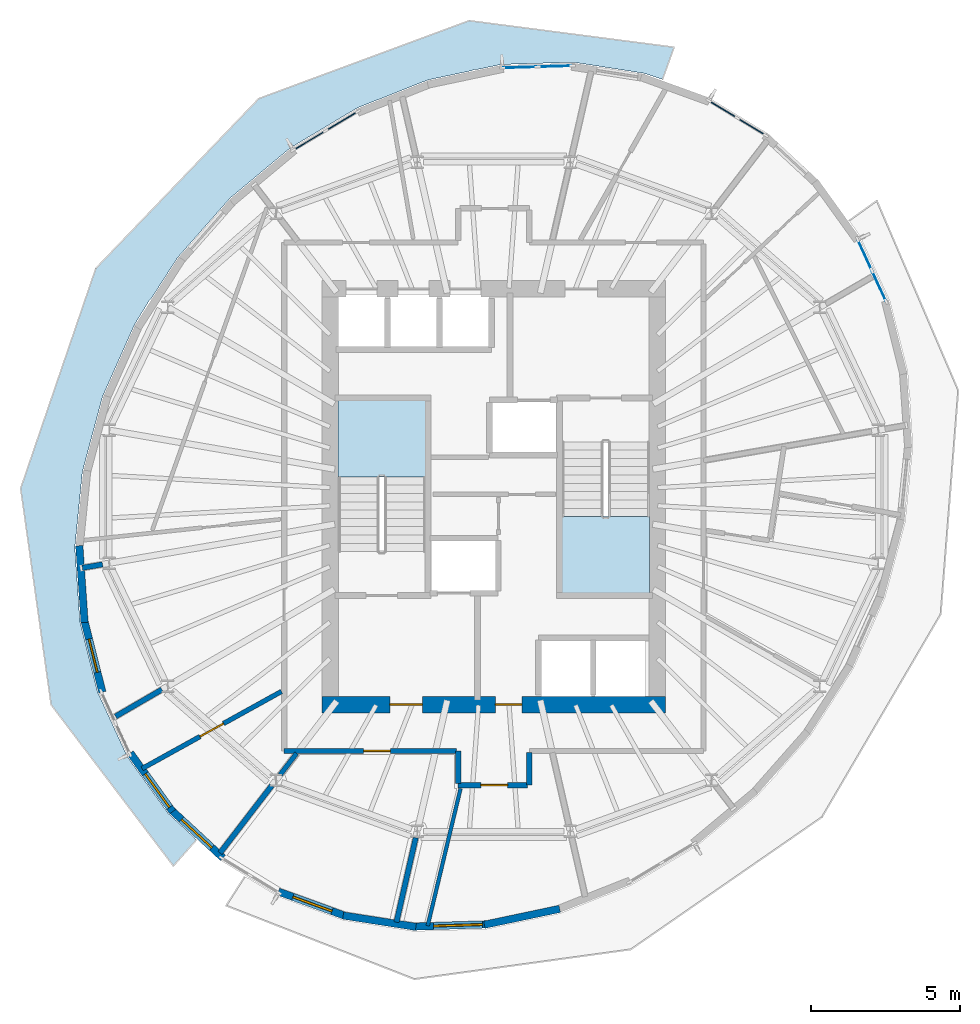
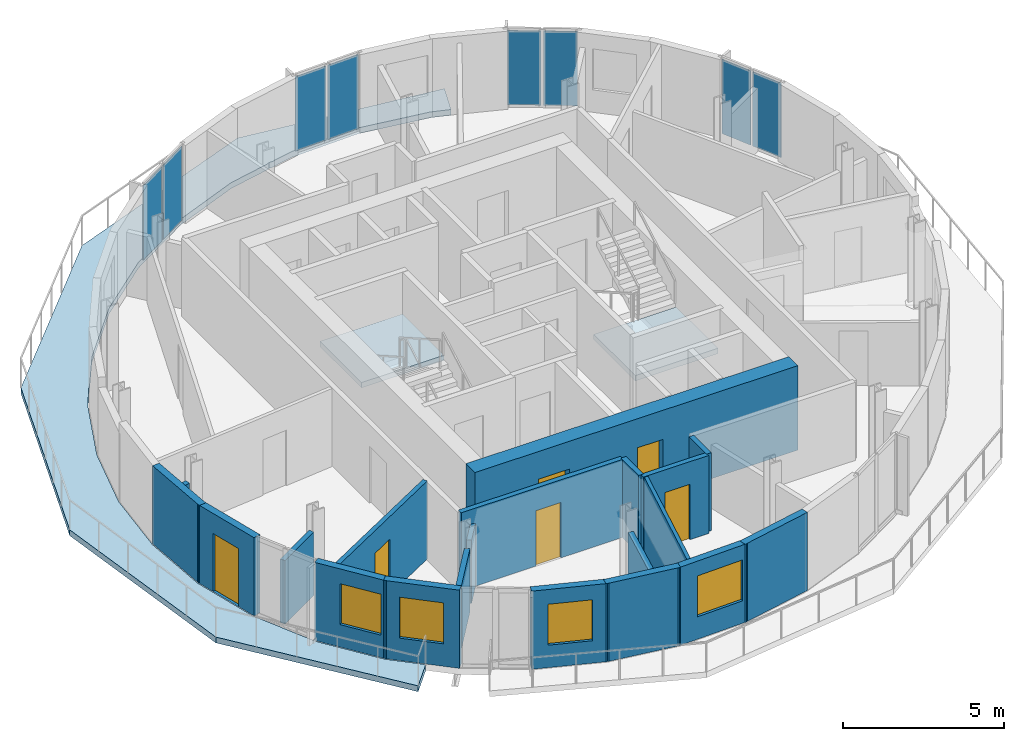
# One storey, part 4 of 11: 20 walls, 8 plates, 6 doors, 4 windows, 3 slabs, 10 openings, 6 elements without a shape of their own.
"""IFC4 building model written with IfcOpenShell, lengths in metres."""

from ifc_helpers import new_model, si_unit, direction, frame, frame_2d, origin, origin_2d, place, context, subcontext, project, spatial, polyline, rectangle, outline, extrude, material, layer, layer_set, type_object, element, fill, aggregate, save


model = new_model("IFC4")

# Units and contexts
model_context = context("Model", 3, precision=1e-05, world=origin(), true_north=direction((0.0, 1.0)))
body_context = subcontext(model_context, "Body", "Model", "MODEL_VIEW")
ifc_project = project(units=[si_unit("LENGTHUNIT", "METRE"), si_unit("AREAUNIT", "SQUARE_METRE"), si_unit("VOLUMEUNIT", "CUBIC_METRE"), si_unit("PLANEANGLEUNIT", "RADIAN"), si_unit("MASSUNIT", "GRAM", prefix="KILO")], contexts=[model_context])

# Site, building, storey
site_placement = place(None, origin())
site = spatial("IfcSite", under=ifc_project, at=site_placement, CompositionType="ELEMENT")
building_placement = place(site_placement, origin())
building = spatial("IfcBuilding", under=site, at=building_placement, Name="Veldorim Arch Residences", CompositionType="ELEMENT")
storey_placement = place(building_placement, frame((0.0, 0.0, 214.239990234375)))
storey = spatial("IfcBuildingStorey", under=building, at=storey_placement, Name="L64", CompositionType="ELEMENT", Elevation=214.239990234375)

# Slab
ifc_material_1 = material(Name="Concrete C40/50", Category="concrete")
ifc_layer_1 = layer(ifc_material_1, 0.219970703125, Name="Planted Crescent Cantilever Balcony Slab 220")
ifc_layer_set_1 = layer_set([ifc_layer_1], Name="Concrete C40/50")
slab_type_1 = type_object("IfcSlabType", Name="Planted Crescent Cantilever Balcony Slab 220", PredefinedType="FLOOR", material=ifc_layer_set_1)
slab_1_placement = place(storey_placement, frame((0.0, 0.0, -0.219970703125)))
element("IfcSlab", 1, at=slab_1_placement, inside=storey, type_object=slab_type_1, Name="L64 planted crescent balcony slab A", PredefinedType="FLOOR", context=body_context, shape_type="SweptSolid", body=[
    extrude(outline(polyline([(37.680419921875, 38.05078125), (37.051513671875, 38.256103515625), (34.687744140625, 38.62548828125), (32.2421875, 38.5498046875), (31.4560546875, 38.384033203125), (31.35986328125, 38.38916015625), (31.243896484375, 38.33935546875), (29.789794921875, 38.032470703125), (27.404296875, 37.088623046875), (25.158935546875, 35.747314453125), (23.121337890625, 34.04931640625), (21.353515625, 32.046142578125), (20.4931640625, 30.707763671875), (20.40966796875, 30.6181640625), (19.90869140625, 29.798583984375), (18.831298828125, 27.374755859375), (18.15380859375, 24.848388671875), (17.897216796875, 22.296142578125), (18.068603515625, 19.795654296875), (18.66357421875, 17.422607421875), (19.6640625, 15.248779296875), (21.039306640625, 13.34130859375), (21.90380859375, 12.540283203125), (21.97509765625, 12.429931640625), (21.213134765625, 11.568603515625), (17.098388671875, 16.993408203125), (16.072509765625, 24.278564453125), (18.603515625, 31.689697265625), (24.087646484375, 37.402587890625), (31.172607421875, 40.026123046875), (38.071533203125, 39.132080078125), (37.680419921875, 38.05078125)])), origin(), (0.0, 0.0, 1.0), 0.219970703125),
])

# Stair, slab
ifc_material_2 = material(Name="Concrete C40/50", Category="concrete")
stair_type = type_object("IfcStairType", Name="Reinforced Concrete Dogleg Exit Staircase", PredefinedType="HALF_TURN_STAIR", material=ifc_material_2)
stair_1_placement = place(storey_placement, origin())
stair_1 = element("IfcStair", 2, at=stair_1_placement, inside=storey, type_object=stair_type, Name="L64 Exit Staircase ST-1", PredefinedType="HALF_TURN_STAIR")
ifc_material_3 = material(Name="Concrete C40/50", Category="concrete")
ifc_layer_2 = layer(ifc_material_3, 0.199951171875, Name="Reinforced Concrete Stair Landing 200")
ifc_layer_set_2 = layer_set([ifc_layer_2], Name="Concrete C40/50")
slab_type_2 = type_object("IfcSlabType", Name="Reinforced Concrete Stair Landing 200", PredefinedType="LANDING", material=ifc_layer_set_2)
slab_2_placement = place(storey_placement, frame((0.0, 0.0, 1.39990234375)))
slab_2 = element("IfcSlab", 3, at=slab_2_placement, type_object=slab_type_2, Name="ST-1 landing 1", PredefinedType="LANDING", context=body_context, shape_type="SweptSolid", body=[
    extrude(outline(polyline([(29.7099609375, 24.669921875), (29.7099609375, 27.25), (26.75, 27.25), (26.75, 24.669921875), (29.7099609375, 24.669921875)])), origin(), (0.0, 0.0, 1.0), 0.2001953125),
])
aggregate(stair_1, [slab_2])

stair_2_placement = place(storey_placement, origin())
stair_2 = element("IfcStair", 4, at=stair_2_placement, inside=storey, type_object=stair_type, Name="L64 Exit Staircase ST-2", PredefinedType="HALF_TURN_STAIR")
slab_3_placement = place(storey_placement, frame((0.0, 0.0, 1.39990234375)))
slab_3 = element("IfcSlab", 5, at=slab_3_placement, type_object=slab_type_2, Name="ST-2 landing 1", PredefinedType="LANDING", context=body_context, shape_type="SweptSolid", body=[
    extrude(outline(polyline([(34.2900390625, 23.330078125), (34.2900390625, 20.75), (37.25, 20.75), (37.25, 23.330078125), (34.2900390625, 23.330078125)])), origin(), (0.0, 0.0, 1.0), 0.2001953125),
])
aggregate(stair_2, [slab_3])

# Curtain wall, plates
ifc_material_4 = material(Name="Aluminium", Category="aluminium")
curtain_wall_type = type_object("IfcCurtainWallType", Name="Zone 4 High-Altitude Unitised Curtain Wall", PredefinedType="NOTDEFINED", material=ifc_material_4)
curtain_wall_1_placement = place(storey_placement, origin())
curtain_wall_1 = element("IfcCurtainWall", 6, at=curtain_wall_1_placement, inside=storey, type_object=curtain_wall_type, Name="L64 unitised curtain wall bay 01", PredefinedType="NOTDEFINED")
ifc_material_5 = material(Name="Laminated Low-E Glass", Category="glass")
ifc_layer_3 = layer(ifc_material_5, 0.030029296875, Name="Zone 4 High-Altitude Unitised Curtain Wall Glazing Panel 30")
ifc_layer_set_3 = layer_set([ifc_layer_3], Name="Laminated Low-E Glass")
plate_type = type_object("IfcPlateType", Name="Zone 4 High-Altitude Unitised Curtain Wall Glazing Panel 30", PredefinedType="CURTAIN_PANEL", material=ifc_layer_set_3)
plate_1_placement = place(storey_placement, frame((39.716796875, 37.042236328125, 0.074951171875), z_axis=(0.0, 0.0, 1.0), x_axis=(0.854146218846, -0.520032918989, 0.0)))
plate_1 = element("IfcPlate", 7, at=plate_1_placement, type_object=plate_type, Name="CW-Z4 panel 1.1", PredefinedType="CURTAIN_PANEL", context=body_context, shape_type="SweptSolid", body=[
    extrude(rectangle(XDim=1.0498046875, YDim=0.030029296875, at=origin_2d()), origin(), (0.0, 0.0, 1.0), 2.81005859375),
])
plate_2_placement = place(storey_placement, frame((40.677734375, 36.457275390625, 0.074951171875), z_axis=(0.0, 0.0, 1.0), x_axis=(0.854146218846, -0.520032918989, 0.0)))
plate_2 = element("IfcPlate", 8, at=plate_2_placement, type_object=plate_type, Name="CW-Z4 panel 2.1", PredefinedType="CURTAIN_PANEL", context=body_context, shape_type="SweptSolid", body=[
    extrude(rectangle(XDim=1.0498046875, YDim=0.030029296875, at=origin_2d()), origin(), (0.0, 0.0, 1.0), 2.81005859375),
])
aggregate(curtain_wall_1, [plate_1, plate_2])

curtain_wall_2_placement = place(storey_placement, origin())
curtain_wall_2 = element("IfcCurtainWall", 9, at=curtain_wall_2_placement, inside=storey, type_object=curtain_wall_type, Name="L64 unitised curtain wall bay 04", PredefinedType="NOTDEFINED")
plate_3_placement = place(storey_placement, frame((32.876953125, 38.454345703125, 0.074951171875), z_axis=(0.0, 0.0, 1.0), x_axis=(0.999524500422, 0.030834608084, 0.0)))
plate_3 = element("IfcPlate", 10, at=plate_3_placement, type_object=plate_type, Name="CW-Z4 panel 1.1", PredefinedType="CURTAIN_PANEL", context=body_context, shape_type="SweptSolid", body=[
    extrude(rectangle(XDim=1.108642578125, YDim=0.030029296875, at=origin_2d()), origin(), (0.0, 0.0, 1.0), 2.81005859375),
])
plate_4_placement = place(storey_placement, frame((34.059814453125, 38.490966796875, 0.074951171875), z_axis=(0.0, 0.0, 1.0), x_axis=(0.999524500422, 0.030834608084, 0.0)))
plate_4 = element("IfcPlate", 11, at=plate_4_placement, type_object=plate_type, Name="CW-Z4 panel 2.1", PredefinedType="CURTAIN_PANEL", context=body_context, shape_type="SweptSolid", body=[
    extrude(rectangle(XDim=1.108642578125, YDim=0.030029296875, at=origin_2d()), origin(), (0.0, 0.0, 1.0), 2.81005859375),
])
aggregate(curtain_wall_2, [plate_3, plate_4])

curtain_wall_3_placement = place(storey_placement, origin())
curtain_wall_3 = element("IfcCurtainWall", 12, at=curtain_wall_3_placement, inside=storey, type_object=curtain_wall_type, Name="L64 unitised curtain wall bay 07", PredefinedType="NOTDEFINED")
plate_5_placement = place(storey_placement, frame((25.796142578125, 35.994140625, 0.074951171875), z_axis=(0.0, 0.0, 1.0), x_axis=(0.85849808331, 0.512816771325, 0.0)))
plate_5 = element("IfcPlate", 13, at=plate_5_placement, type_object=plate_type, Name="CW-Z4 panel 1.1", PredefinedType="CURTAIN_PANEL", context=body_context, shape_type="SweptSolid", body=[
    extrude(rectangle(XDim=1.193359375, YDim=0.030029296875, at=origin_2d()), origin(), (0.0, 0.0, 1.0), 2.81005859375),
])
plate_6_placement = place(storey_placement, frame((26.885009765625, 36.64453125, 0.074951171875), z_axis=(0.0, 0.0, 1.0), x_axis=(0.85849808331, 0.512816771325, 0.0)))
plate_6 = element("IfcPlate", 14, at=plate_6_placement, type_object=plate_type, Name="CW-Z4 panel 2.1", PredefinedType="CURTAIN_PANEL", context=body_context, shape_type="SweptSolid", body=[
    extrude(rectangle(XDim=1.193359375, YDim=0.030029296875, at=origin_2d()), origin(), (0.0, 0.0, 1.0), 2.81005859375),
])
aggregate(curtain_wall_3, [plate_5, plate_6])

curtain_wall_4_placement = place(storey_placement, origin())
curtain_wall_4 = element("IfcCurtainWall", 15, at=curtain_wall_4_placement, inside=storey, type_object=curtain_wall_type, Name="L64 unitised curtain wall bay 34", PredefinedType="NOTDEFINED")
plate_7_placement = place(storey_placement, frame((44.489990234375, 32.141357421875, 0.074951171875), z_axis=(0.0, 0.0, 1.0), x_axis=(0.418101919427, -0.908400123828, 0.0)))
plate_7 = element("IfcPlate", 16, at=plate_7_placement, type_object=plate_type, Name="CW-Z4 panel 1.1", PredefinedType="CURTAIN_PANEL", context=body_context, shape_type="SweptSolid", body=[
    extrude(rectangle(XDim=1.08154296875, YDim=0.030029296875, at=origin_2d()), origin(), (0.0, 0.0, 1.0), 2.81005859375),
])
plate_8_placement = place(storey_placement, frame((44.973388671875, 31.0908203125, 0.074951171875), z_axis=(0.0, 0.0, 1.0), x_axis=(0.418101919427, -0.908400123828, 0.0)))
plate_8 = element("IfcPlate", 17, at=plate_8_placement, type_object=plate_type, Name="CW-Z4 panel 2.1", PredefinedType="CURTAIN_PANEL", context=body_context, shape_type="SweptSolid", body=[
    extrude(rectangle(XDim=1.08154296875, YDim=0.030029296875, at=origin_2d()), origin(), (0.0, 0.0, 1.0), 2.81005859375),
])
aggregate(curtain_wall_4, [plate_7, plate_8])

# Walls
ifc_material_6 = material(Name="Acoustic Gypsum Board", Category="gypsum")
ifc_layer_4 = layer(ifc_material_6, 0.125, Name="Acoustic Stud Room Partition Wall 125")
ifc_layer_set_4 = layer_set([ifc_layer_4], Name="Acoustic Gypsum Board")
wall_type_1 = type_object("IfcWallType", Name="Acoustic Stud Room Partition Wall 125", PredefinedType="PARTITIONING", material=ifc_layer_set_4)
wall_1_placement = place(storey_placement, frame((29.775390625, 9.553955078125, 0.0), z_axis=(0.0, 0.0, 1.0), x_axis=(0.232836379221, 0.972515923012, 0.0)))
element("IfcWall", 18, at=wall_1_placement, inside=storey, type_object=wall_type_1, Name="L64 interior wall WL-RES-L64-014", PredefinedType="PARTITIONING", context=body_context, shape_type="SweptSolid", body=[
    extrude(rectangle(XDim=4.75, YDim=0.125, at=frame_2d((2.375, 0.0))), origin(), (0.0, 0.0, 1.0), 2.955078125),
])
ifc_material_7 = material(Name="Lightweight Masonry Block & Gypsum", Category="masonry")
ifc_layer_5 = layer(ifc_material_7, 0.179931640625, Name="Compartment & Corridor Fire-Rated Party Wall 180")
ifc_layer_set_5 = layer_set([ifc_layer_5], Name="Lightweight Masonry Block & Gypsum")
wall_type_2 = type_object("IfcWallType", Name="Compartment & Corridor Fire-Rated Party Wall 180", PredefinedType="PARTITIONING", material=ifc_layer_set_5)
wall_2_placement = place(storey_placement, frame((18.827392578125, 21.72119140625, 0.0), z_axis=(0.0, 0.0, 1.0), x_axis=(-0.985357392461, -0.170501639647, 0.0)))
element("IfcWall", 19, at=wall_2_placement, inside=storey, type_object=wall_type_2, Name="L64 interior wall WL-PIER-L64-09", PredefinedType="PARTITIONING", context=body_context, shape_type="SweptSolid", body=[
    extrude(rectangle(XDim=0.687255859375, YDim=0.179931640625, at=frame_2d((0.34375, 0.0))), origin(), (0.0, 0.0, 1.0), 2.4033203125),
])
wall_3_placement = place(storey_placement, frame((20.826171875, 17.5068359375, 0.0), z_axis=(0.0, 0.0, 1.0), x_axis=(-0.864637155841, -0.502396843879, 0.0)))
element("IfcWall", 20, at=wall_3_placement, inside=storey, type_object=wall_type_2, Name="L64 interior wall WL-PIER-L64-10", PredefinedType="PARTITIONING", context=body_context, shape_type="SweptSolid", body=[
    extrude(rectangle(XDim=1.802978515625, YDim=0.179931640625, at=frame_2d((0.9013671875, 0.0))), origin(), (0.0, 0.0, 1.0), 2.4033203125),
])
wall_4_placement = place(storey_placement, frame((24.526611328125, 14.272705078125, 0.0), z_axis=(0.0, 0.0, 1.0), x_axis=(-0.609244614772, -0.792982344931, 0.0)))
element("IfcWall", 21, at=wall_4_placement, inside=storey, type_object=wall_type_2, Name="L64 interior wall WL-PIER-L64-11", PredefinedType="PARTITIONING", context=body_context, shape_type="SweptSolid", body=[
    extrude(rectangle(XDim=2.86083984375, YDim=0.179931640625, at=frame_2d((1.430419921875, 0.0))), origin(), (0.0, 0.0, 1.0), 2.4033203125),
])
wall_5_placement = place(storey_placement, frame((29.37353515625, 12.516845703125, 0.0), z_axis=(0.0, 0.0, 1.0), x_axis=(-0.222945280676, -0.974830960641, 0.0)))
element("IfcWall", 22, at=wall_5_placement, inside=storey, type_object=wall_type_2, Name="L64 interior wall WL-PIER-L64-12", PredefinedType="PARTITIONING", context=body_context, shape_type="SweptSolid", body=[
    extrude(rectangle(XDim=2.916259765625, YDim=0.179931640625, at=frame_2d((1.4580078125, 0.0))), origin(), (0.0, 0.0, 1.0), 2.4033203125),
])
wall_6_placement = place(storey_placement, frame((33.199951171875, 15.3798828125, 0.0), z_axis=(0.0, 0.0, 1.0), x_axis=(0.0, -1.0, 0.0)))
element("IfcWall", 23, at=wall_6_placement, inside=storey, type_object=wall_type_2, Name="L64 interior wall WL-RES-L64-002", PredefinedType="PARTITIONING", context=body_context, shape_type="SweptSolid", body=[
    extrude(rectangle(XDim=1.08984375, YDim=0.179931640625, at=frame_2d((0.544921875, 0.0))), origin(), (0.0, 0.0, 1.0), 2.955078125),
])

# Wall, opening, door
wall_7_placement = place(storey_placement, frame((33.139892578125, 14.2900390625, 0.0), z_axis=(0.0, 0.0, 1.0), x_axis=(-1.0, 0.0, 0.0)))
wall_7 = element("IfcWall", 24, at=wall_7_placement, inside=storey, type_object=wall_type_2, Name="L64 interior wall WL-RES-L64-003", PredefinedType="PARTITIONING", context=body_context, shape_type="SweptSolid", body=[
    extrude(rectangle(XDim=2.33984375, YDim=0.179931640625, at=frame_2d((1.169921875, 0.0))), origin(), (0.0, 0.0, 1.0), 2.955078125),
])
opening_1_placement = place(wall_7_placement, frame((0.675537109375, 0.0, 0.0)))
opening_1 = element("IfcOpeningElement", 25, at=opening_1_placement, cuts=wall_7, Name="Opening DR-SVC", PredefinedType="OPENING", context=body_context, shape_type="SweptSolid", body=[
    extrude(rectangle(XDim=0.89990234375, YDim=2.10009765625, at=frame_2d((0.449951171875, 1.050048828125))), frame((0.0, 0.099853515625, 0.0), z_axis=(0.0, -1.0, 0.0), x_axis=(1.0, 0.0, 0.0)), (0.0, 0.0, 1.0), 0.199951171875),
])
ifc_material_8 = material(Name="Fire-Rated Steel", Category="steel")
door_type_1 = type_object("IfcDoorType", Name="Riser, Shelter & Plant Room Rated Steel Door 900x2100", OperationType="SINGLE_SWING_LEFT", PredefinedType="DOOR", material=ifc_material_8)
door_1_placement = place(opening_1_placement, origin())
door_1 = element("IfcDoor", 26, at=door_1_placement, inside=storey, type_object=door_type_1, Name="L64 interior door DR-RES-L64-001", OperationType="SINGLE_SWING_LEFT", OverallHeight=2.10009765625, OverallWidth=0.89990234375, PredefinedType="DOOR", context=body_context, shape_type="SweptSolid", body=[
    extrude(rectangle(XDim=0.89990234375, YDim=2.10009765625, at=frame_2d((0.449951171875, 1.050048828125))), frame((0.0, 0.02490234375, 0.0), z_axis=(0.0, -1.0, 0.0), x_axis=(1.0, 0.0, 0.0)), (0.0, 0.0, 1.0), 0.050048828125),
])
fill(opening_1, door_1)

# Wall
wall_8_placement = place(storey_placement, frame((30.800048828125, 14.35009765625, 0.0), z_axis=(0.0, 0.0, 1.0), x_axis=(0.0, 1.0, 0.0)))
element("IfcWall", 27, at=wall_8_placement, inside=storey, type_object=wall_type_2, Name="L64 interior wall WL-RES-L64-004", PredefinedType="PARTITIONING", context=body_context, shape_type="SweptSolid", body=[
    extrude(rectangle(XDim=1.08984375, YDim=0.179931640625, at=frame_2d((0.544921875, 0.0))), origin(), (0.0, 0.0, 1.0), 2.955078125),
])

# Wall, opening, door
wall_9_placement = place(storey_placement, frame((30.739990234375, 15.43994140625, 0.0), z_axis=(0.0, 0.0, 1.0), x_axis=(-1.0, 0.0, 0.0)))
wall_9 = element("IfcWall", 28, at=wall_9_placement, inside=storey, type_object=wall_type_2, Name="L64 interior wall WL-RES-L64-005", PredefinedType="PARTITIONING", context=body_context, shape_type="SweptSolid", body=[
    extrude(rectangle(XDim=5.800048828125, YDim=0.179931640625, at=frame_2d((2.89990234375, 0.0))), origin(), (0.0, 0.0, 1.0), 2.955078125),
])
opening_2_placement = place(wall_9_placement, frame((2.220703125, 0.0, 0.0)))
opening_2 = element("IfcOpeningElement", 29, at=opening_2_placement, cuts=wall_9, Name="Opening DR-INT", PredefinedType="OPENING", context=body_context, shape_type="SweptSolid", body=[
    extrude(rectangle(XDim=0.89990234375, YDim=2.10009765625, at=frame_2d((0.449951171875, 1.050048828125))), frame((0.0, 0.099853515625, 0.0), z_axis=(0.0, -1.0, 0.0), x_axis=(1.0, 0.0, 0.0)), (0.0, 0.0, 1.0), 0.199951171875),
])
ifc_material_9 = material(Name="Engineered Timber", Category="wood")
door_type_2 = type_object("IfcDoorType", Name="Apartment Internal Room Timber Door 900x2100", OperationType="SINGLE_SWING_LEFT", PredefinedType="DOOR", material=ifc_material_9)
door_2_placement = place(opening_2_placement, origin())
door_2 = element("IfcDoor", 30, at=door_2_placement, inside=storey, type_object=door_type_2, Name="L64 interior door DR-RES-L64-002", OperationType="SINGLE_SWING_RIGHT", OverallHeight=2.10009765625, OverallWidth=0.89990234375, PredefinedType="DOOR", context=body_context, shape_type="SweptSolid", body=[
    extrude(rectangle(XDim=0.89990234375, YDim=2.10009765625, at=frame_2d((0.449951171875, 1.050048828125))), frame((0.0, 0.02490234375, 0.0), z_axis=(0.0, -1.0, 0.0), x_axis=(1.0, 0.0, 0.0)), (0.0, 0.0, 1.0), 0.050048828125),
])
fill(opening_2, door_2)

# Wall
ifc_material_10 = material(Name="Precast concrete C40/50", Category="concrete")
ifc_layer_6 = layer(ifc_material_10, 0.25, Name="Tower Terracotta Spandrel & Pier Wall 250")
ifc_layer_set_6 = layer_set([ifc_layer_6], Name="Precast concrete C40/50")
wall_type_3 = type_object("IfcWallType", Name="Tower Terracotta Spandrel & Pier Wall 250", PredefinedType="SOLIDWALL", material=ifc_layer_set_6)
wall_10_placement = place(storey_placement, frame((18.22119140625, 19.76318359375, 0.0), z_axis=(0.0, 0.0, 1.0), x_axis=(-0.068469168344, 0.997653232835, 0.0)))
element("IfcWall", 31, at=wall_10_placement, inside=storey, type_object=wall_type_3, Name="L64 terracotta facade wall 14", PredefinedType="SOLIDWALL", context=body_context, shape_type="SweptSolid", body=[
    extrude(rectangle(XDim=2.59228515625, YDim=0.25, at=frame_2d((1.296142578125, 0.0))), origin(), (0.0, 0.0, 1.0), 2.9599609375),
])

# Wall, opening, door
wall_11_placement = place(storey_placement, frame((18.819580078125, 17.41748046875, 0.0), z_axis=(0.0, 0.0, 1.0), x_axis=(-0.243170809566, 0.969983483042, 0.0)))
wall_11 = element("IfcWall", 32, at=wall_11_placement, inside=storey, type_object=wall_type_3, Name="L64 terracotta facade wall 15", PredefinedType="SOLIDWALL", context=body_context, shape_type="SweptSolid", body=[
    extrude(rectangle(XDim=2.531982421875, YDim=0.25, at=frame_2d((1.26611328125, 0.0))), origin(), (0.0, 0.0, 1.0), 2.9599609375),
])
opening_3_placement = place(wall_11_placement, frame((0.69091796875, 0.0, 0.0)))
opening_3 = element("IfcOpeningElement", 33, at=opening_3_placement, cuts=wall_11, Name="Opening BL-DR", PredefinedType="OPENING", context=body_context, shape_type="SweptSolid", body=[
    extrude(rectangle(XDim=1.14990234375, YDim=2.199951171875, at=frame_2d((0.574951171875, 1.10009765625))), frame((0.0, 0.135009765625, 0.0), z_axis=(0.0, -1.0, 0.0), x_axis=(1.0, 0.0, 0.0)), (0.0, 0.0, 1.0), 0.27001953125),
])
ifc_material_11 = material(Name="Aluminium & Low-E Glass", Category="aluminium")
door_type_3 = type_object("IfcDoorType", Name="Glazed Planted Balcony Door 1150x2200", OperationType="SINGLE_SWING_LEFT", PredefinedType="DOOR", material=ifc_material_11)
door_3_placement = place(opening_3_placement, origin())
door_3 = element("IfcDoor", 34, at=door_3_placement, inside=storey, type_object=door_type_3, Name="L64 glazed outdoor terrace door BALC-1", OperationType="SINGLE_SWING_LEFT", OverallHeight=2.199951171875, OverallWidth=1.14990234375, PredefinedType="DOOR", context=body_context, shape_type="SweptSolid", body=[
    extrude(rectangle(XDim=1.14990234375, YDim=2.199951171875, at=frame_2d((0.574951171875, 1.10009765625))), frame((0.0, 0.02490234375, 0.0), z_axis=(0.0, -1.0, 0.0), x_axis=(1.0, 0.0, 0.0)), (0.0, 0.0, 1.0), 0.050048828125),
])
fill(opening_3, door_3)

# Wall, opening, window
wall_12_placement = place(storey_placement, frame((21.185791015625, 13.39453125, 0.0), z_axis=(0.0, 0.0, 1.0), x_axis=(-0.584824573101, 0.811159798497, 0.0)))
wall_12 = element("IfcWall", 35, at=wall_12_placement, inside=storey, type_object=wall_type_3, Name="L64 terracotta facade wall 17", PredefinedType="SOLIDWALL", context=body_context, shape_type="SweptSolid", body=[
    extrude(rectangle(XDim=2.436767578125, YDim=0.25, at=frame_2d((1.21826171875, 0.0))), origin(), (0.0, 0.0, 1.0), 2.9599609375),
])
opening_4_placement = place(wall_12_placement, frame((0.175048828125, 0.0, 0.85009765625)))
opening_4 = element("IfcOpeningElement", 36, at=opening_4_placement, cuts=wall_12, Name="Opening WN-02", PredefinedType="OPENING", context=body_context, shape_type="SweptSolid", body=[
    extrude(rectangle(XDim=1.39990234375, YDim=1.550048828125, at=frame_2d((0.699951171875, 0.77490234375))), frame((0.0, 0.135009765625, 0.0), z_axis=(0.0, -1.0, 0.0), x_axis=(1.0, 0.0, 0.0)), (0.0, 0.0, 1.0), 0.27001953125),
])
ifc_material_12 = material(Name="Laminated Low-E Glass", Category="glass")
window_type_1 = type_object("IfcWindowType", Name="Residential Casement Window 1400x1550", PartitioningType="SINGLE_PANEL", PredefinedType="WINDOW", material=ifc_material_12)
window_1_placement = place(opening_4_placement, origin())
window_1 = element("IfcWindow", 37, at=window_1_placement, inside=storey, type_object=window_type_1, Name="L64 solar-control facade window 17", OverallHeight=1.550048828125, OverallWidth=1.39990234375, PartitioningType="SINGLE_PANEL", PredefinedType="WINDOW", context=body_context, shape_type="SweptSolid", body=[
    extrude(rectangle(XDim=1.39990234375, YDim=1.550048828125, at=frame_2d((0.699951171875, 0.77490234375))), frame((0.0, 0.030029296875, 0.0), z_axis=(0.0, -1.0, 0.0), x_axis=(1.0, 0.0, 0.0)), (0.0, 0.0, 1.0), 0.06005859375),
])
fill(opening_4, window_1)

wall_13_placement = place(storey_placement, frame((22.881103515625, 11.8388671875, 0.0), z_axis=(0.0, 0.0, 1.0), x_axis=(-0.733441361842, 0.679752726173, 0.0)))
wall_13 = element("IfcWall", 38, at=wall_13_placement, inside=storey, type_object=wall_type_3, Name="L64 terracotta facade wall 18", PredefinedType="SOLIDWALL", context=body_context, shape_type="SweptSolid", body=[
    extrude(rectangle(XDim=2.41455078125, YDim=0.25, at=frame_2d((1.207275390625, 0.0))), origin(), (0.0, 0.0, 1.0), 2.9599609375),
])
opening_5_placement = place(wall_13_placement, frame((0.507080078125, 0.0, 0.85009765625)))
opening_5 = element("IfcOpeningElement", 39, at=opening_5_placement, cuts=wall_13, Name="Opening WN-02", PredefinedType="OPENING", context=body_context, shape_type="SweptSolid", body=[
    extrude(rectangle(XDim=1.39990234375, YDim=1.550048828125, at=frame_2d((0.699951171875, 0.77490234375))), frame((0.0, 0.135009765625, 0.0), z_axis=(0.0, -1.0, 0.0), x_axis=(1.0, 0.0, 0.0)), (0.0, 0.0, 1.0), 0.27001953125),
])
window_2_placement = place(opening_5_placement, origin())
window_2 = element("IfcWindow", 40, at=window_2_placement, inside=storey, type_object=window_type_1, Name="L64 solar-control facade window 18", OverallHeight=1.550048828125, OverallWidth=1.39990234375, PartitioningType="SINGLE_PANEL", PredefinedType="WINDOW", context=body_context, shape_type="SweptSolid", body=[
    extrude(rectangle(XDim=1.39990234375, YDim=1.550048828125, at=frame_2d((0.699951171875, 0.77490234375))), frame((0.0, 0.030029296875, 0.0), z_axis=(0.0, -1.0, 0.0), x_axis=(1.0, 0.0, 0.0)), (0.0, 0.0, 1.0), 0.06005859375),
])
fill(opening_5, window_2)

wall_14_placement = place(storey_placement, frame((27.039794921875, 9.8701171875, 0.0), z_axis=(0.0, 0.0, 1.0), x_axis=(-0.939954186413, 0.341300640851, 0.0)))
wall_14 = element("IfcWall", 41, at=wall_14_placement, inside=storey, type_object=wall_type_3, Name="L64 terracotta facade wall 20", PredefinedType="SOLIDWALL", context=body_context, shape_type="SweptSolid", body=[
    extrude(rectangle(XDim=2.43701171875, YDim=0.25, at=frame_2d((1.218505859375, 0.0))), origin(), (0.0, 0.0, 1.0), 2.9599609375),
])
opening_6_placement = place(wall_14_placement, frame((0.51806640625, 0.0, 0.85009765625)))
opening_6 = element("IfcOpeningElement", 42, at=opening_6_placement, cuts=wall_14, Name="Opening WN-02", PredefinedType="OPENING", context=body_context, shape_type="SweptSolid", body=[
    extrude(rectangle(XDim=1.39990234375, YDim=1.550048828125, at=frame_2d((0.699951171875, 0.77490234375))), frame((0.0, 0.135009765625, 0.0), z_axis=(0.0, -1.0, 0.0), x_axis=(1.0, 0.0, 0.0)), (0.0, 0.0, 1.0), 0.27001953125),
])
window_3_placement = place(opening_6_placement, origin())
window_3 = element("IfcWindow", 43, at=window_3_placement, inside=storey, type_object=window_type_1, Name="L64 solar-control facade window 20", OverallHeight=1.550048828125, OverallWidth=1.39990234375, PartitioningType="SINGLE_PANEL", PredefinedType="WINDOW", context=body_context, shape_type="SweptSolid", body=[
    extrude(rectangle(XDim=1.39990234375, YDim=1.550048828125, at=frame_2d((0.699951171875, 0.77490234375))), frame((0.0, 0.030029296875, 0.0), z_axis=(0.0, -1.0, 0.0), x_axis=(1.0, 0.0, 0.0)), (0.0, 0.0, 1.0), 0.06005859375),
])
fill(opening_6, window_3)

# Wall
wall_15_placement = place(storey_placement, frame((29.377685546875, 9.516357421875, 0.0), z_axis=(0.0, 0.0, 1.0), x_axis=(-0.988040195026, 0.154196540209, 0.0)))
element("IfcWall", 44, at=wall_15_placement, inside=storey, type_object=wall_type_3, Name="L64 terracotta facade wall 21", PredefinedType="SOLIDWALL", context=body_context, shape_type="SweptSolid", body=[
    extrude(rectangle(XDim=2.477783203125, YDim=0.25, at=frame_2d((1.23876953125, 0.0))), origin(), (0.0, 0.0, 1.0), 2.9599609375),
])

# Wall, opening, window
wall_16_placement = place(storey_placement, frame((31.7958984375, 9.601318359375, 0.0), z_axis=(0.0, 0.0, 1.0), x_axis=(-0.999523857129, -0.030855453818, 0.0)))
wall_16 = element("IfcWall", 45, at=wall_16_placement, inside=storey, type_object=wall_type_3, Name="L64 terracotta facade wall 22", PredefinedType="SOLIDWALL", context=body_context, shape_type="SweptSolid", body=[
    extrude(rectangle(XDim=2.531982421875, YDim=0.25, at=frame_2d((1.26611328125, 0.0))), origin(), (0.0, 0.0, 1.0), 2.9599609375),
])
opening_7_placement = place(wall_16_placement, frame((0.175048828125, 0.0, 0.85009765625)))
opening_7 = element("IfcOpeningElement", 46, at=opening_7_placement, cuts=wall_16, Name="Opening WN-03", PredefinedType="OPENING", context=body_context, shape_type="SweptSolid", body=[
    extrude(rectangle(XDim=1.64990234375, YDim=1.550048828125, at=frame_2d((0.824951171875, 0.77490234375))), frame((0.0, 0.135009765625, 0.0), z_axis=(0.0, -1.0, 0.0), x_axis=(1.0, 0.0, 0.0)), (0.0, 0.0, 1.0), 0.27001953125),
])
ifc_material_13 = material(Name="Laminated Low-E Glass", Category="glass")
window_type_2 = type_object("IfcWindowType", Name="Residential Wide Window 1650x1550", PartitioningType="SINGLE_PANEL", PredefinedType="WINDOW", material=ifc_material_13)
window_4_placement = place(opening_7_placement, origin())
window_4 = element("IfcWindow", 47, at=window_4_placement, inside=storey, type_object=window_type_2, Name="L64 solar-control facade window 22", OverallHeight=1.550048828125, OverallWidth=1.64990234375, PartitioningType="SINGLE_PANEL", PredefinedType="WINDOW", context=body_context, shape_type="SweptSolid", body=[
    extrude(rectangle(XDim=1.64990234375, YDim=1.550048828125, at=frame_2d((0.824951171875, 0.77490234375))), frame((0.0, 0.030029296875, 0.0), z_axis=(0.0, -1.0, 0.0), x_axis=(1.0, 0.0, 0.0)), (0.0, 0.0, 1.0), 0.06005859375),
])
fill(opening_7, window_4)

# Wall
wall_17_placement = place(storey_placement, frame((34.22119140625, 10.123291015625, 0.0), z_axis=(0.0, 0.0, 1.0), x_axis=(-0.978434707222, -0.206556345104, 0.0)))
element("IfcWall", 48, at=wall_17_placement, inside=storey, type_object=wall_type_3, Name="L64 terracotta facade wall 23", PredefinedType="SOLIDWALL", context=body_context, shape_type="SweptSolid", body=[
    extrude(rectangle(XDim=2.592041015625, YDim=0.25, at=frame_2d((1.2958984375, 0.0))), origin(), (0.0, 0.0, 1.0), 2.9599609375),
])

# Wall, openings, doors
ifc_material_14 = material(Name="Concrete C50/60", Category="concrete")
ifc_layer_7 = layer(ifc_material_14, 0.5, Name="Upper Central Core Shear Wall 560")
ifc_layer_set_7 = layer_set([ifc_layer_7], Name="Concrete C50/60")
wall_type_4 = type_object("IfcWallType", Name="Upper Central Core Shear Wall 560", PredefinedType="SHEAR", material=ifc_layer_set_7)
wall_18_placement = place(storey_placement, frame((26.219970703125, 17.0, 0.0), z_axis=(0.0, 0.0, 1.0), x_axis=(1.0, 0.0, 0.0)))
wall_18 = element("IfcWall", 49, at=wall_18_placement, inside=storey, type_object=wall_type_4, Name="L64 central core south shear wall", PredefinedType="SHEAR", context=body_context, shape_type="SweptSolid", body=[
    extrude(rectangle(XDim=11.56005859375, YDim=0.56005859375, at=frame_2d((5.780029296875, 0.0))), origin(), (0.0, 0.0, 1.0), 3.199951171875),
])
opening_8_placement = place(wall_18_placement, frame((2.280029296875, 0.0, 0.0)))
opening_8 = element("IfcOpeningElement", 50, at=opening_8_placement, cuts=wall_18, Name="Opening DR-FFL", PredefinedType="OPENING", context=body_context, shape_type="SweptSolid", body=[
    extrude(rectangle(XDim=1.10009765625, YDim=2.14990234375, at=frame_2d((0.550048828125, 1.074951171875))), frame((0.0, 0.2900390625, 0.0), z_axis=(0.0, -1.0, 0.0), x_axis=(1.0, 0.0, 0.0)), (0.0, 0.0, 1.0), 0.580078125),
])
opening_9_placement = place(wall_18_placement, frame((5.830078125, 0.0, 0.0)))
opening_9 = element("IfcOpeningElement", 51, at=opening_9_placement, cuts=wall_18, Name="Opening DR-SVC", PredefinedType="OPENING", context=body_context, shape_type="SweptSolid", body=[
    extrude(rectangle(XDim=0.89990234375, YDim=2.10009765625, at=frame_2d((0.449951171875, 1.050048828125))), frame((0.0, 0.2900390625, 0.0), z_axis=(0.0, -1.0, 0.0), x_axis=(1.0, 0.0, 0.0)), (0.0, 0.0, 1.0), 0.580078125),
])
ifc_material_15 = material(Name="Fire-Rated Steel & Vision Glass", Category="steel")
door_type_4 = type_object("IfcDoorType", Name="Firefighting Lobby Smoke-Stop Fire Door 1100x2150", OperationType="SINGLE_SWING_LEFT", PredefinedType="DOOR", material=ifc_material_15)
door_4_placement = place(opening_8_placement, origin())
door_4 = element("IfcDoor", 52, at=door_4_placement, inside=storey, type_object=door_type_4, Name="L64 interior door DR-L64-FFL1", OperationType="SINGLE_SWING_RIGHT", OverallHeight=2.14990234375, OverallWidth=1.10009765625, PredefinedType="DOOR", context=body_context, shape_type="SweptSolid", body=[
    extrude(rectangle(XDim=1.10009765625, YDim=2.14990234375, at=frame_2d((0.550048828125, 1.074951171875))), frame((0.0, 0.02490234375, 0.0), z_axis=(0.0, -1.0, 0.0), x_axis=(1.0, 0.0, 0.0)), (0.0, 0.0, 1.0), 0.050048828125),
])
fill(opening_8, door_4)
door_5_placement = place(opening_9_placement, origin())
door_5 = element("IfcDoor", 53, at=door_5_placement, inside=storey, type_object=door_type_1, Name="L64 interior door DR-L64-COR-ANC", OperationType="SINGLE_SWING_LEFT", OverallHeight=2.10009765625, OverallWidth=0.89990234375, PredefinedType="DOOR", context=body_context, shape_type="SweptSolid", body=[
    extrude(rectangle(XDim=0.89990234375, YDim=2.10009765625, at=frame_2d((0.449951171875, 1.050048828125))), frame((0.0, 0.02490234375, 0.0), z_axis=(0.0, -1.0, 0.0), x_axis=(1.0, 0.0, 0.0)), (0.0, 0.0, 1.0), 0.050048828125),
])
fill(opening_9, door_5)

# Wall
ifc_material_16 = material(Name="Moisture-Resistant Gypsum & Stud", Category="gypsum")
ifc_layer_8 = layer(ifc_material_16, 0.159912109375, Name="Wet-Area Moisture-Resistant Plumbing Wall 160")
ifc_layer_set_8 = layer_set([ifc_layer_8], Name="Moisture-Resistant Gypsum & Stud")
wall_type_5 = type_object("IfcWallType", Name="Wet-Area Moisture-Resistant Plumbing Wall 160", PredefinedType="PLUMBINGWALL", material=ifc_layer_set_8)
wall_19_placement = place(storey_placement, frame((24.80615234375, 14.636474609375, 0.0), z_axis=(0.0, 0.0, 1.0), x_axis=(0.609284308489, 0.792951846854, 0.0)))
element("IfcWall", 54, at=wall_19_placement, inside=storey, type_object=wall_type_5, Name="L64 interior wall WL-RES-L64-016", PredefinedType="PLUMBINGWALL", context=body_context, shape_type="SweptSolid", body=[
    extrude(rectangle(XDim=0.9130859375, YDim=0.159912109375, at=frame_2d((0.45654296875, 0.0))), origin(), (0.0, 0.0, 1.0), 2.4033203125),
])

# Wall, opening, door
wall_20_placement = place(storey_placement, frame((24.8525390625, 17.442626953125, 0.0), z_axis=(0.0, 0.0, 1.0), x_axis=(-0.874969642777, -0.484177781624, 0.0)))
wall_20 = element("IfcWall", 55, at=wall_20_placement, inside=storey, type_object=wall_type_5, Name="L64 interior wall WL-RES-L64-028", PredefinedType="PLUMBINGWALL", context=body_context, shape_type="SweptSolid", body=[
    extrude(rectangle(XDim=5.364501953125, YDim=0.159912109375, at=frame_2d((2.68212890625, 0.0))), origin(), (0.0, 0.0, 1.0), 2.955078125),
])
opening_10_placement = place(wall_20_placement, frame((2.232421875, 0.0, 0.0)))
opening_10 = element("IfcOpeningElement", 56, at=opening_10_placement, cuts=wall_20, Name="Opening DR-WC", PredefinedType="OPENING", context=body_context, shape_type="SweptSolid", body=[
    extrude(rectangle(XDim=0.89990234375, YDim=2.10009765625, at=frame_2d((0.449951171875, 1.050048828125))), frame((0.0, 0.08984375, 0.0), z_axis=(0.0, -1.0, 0.0), x_axis=(1.0, 0.0, 0.0)), (0.0, 0.0, 1.0), 0.179931640625),
])
ifc_material_17 = material(Name="Laminate Timber", Category="wood")
door_type_5 = type_object("IfcDoorType", Name="Bathroom & Accessible WC Moisture-Sealed Door 900x2100", OperationType="SINGLE_SWING_LEFT", PredefinedType="DOOR", material=ifc_material_17)
door_6_placement = place(opening_10_placement, origin())
door_6 = element("IfcDoor", 57, at=door_6_placement, inside=storey, type_object=door_type_5, Name="L64 interior door DR-RES-L64-014", OperationType="SINGLE_SWING_RIGHT", OverallHeight=2.10009765625, OverallWidth=0.89990234375, PredefinedType="DOOR", context=body_context, shape_type="SweptSolid", body=[
    extrude(rectangle(XDim=0.89990234375, YDim=2.10009765625, at=frame_2d((0.449951171875, 1.050048828125))), frame((0.0, 0.02490234375, 0.0), z_axis=(0.0, -1.0, 0.0), x_axis=(1.0, 0.0, 0.0)), (0.0, 0.0, 1.0), 0.050048828125),
])
fill(opening_10, door_6)

save(model, "model.ifc")
